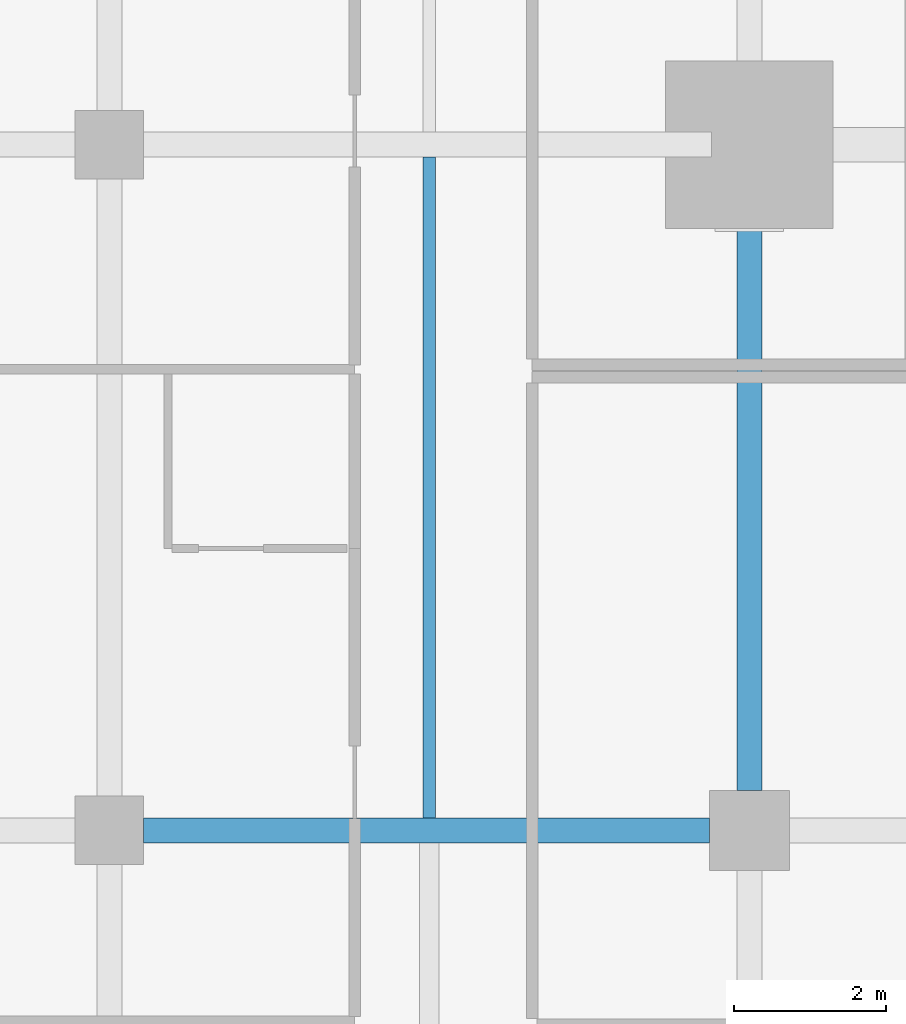
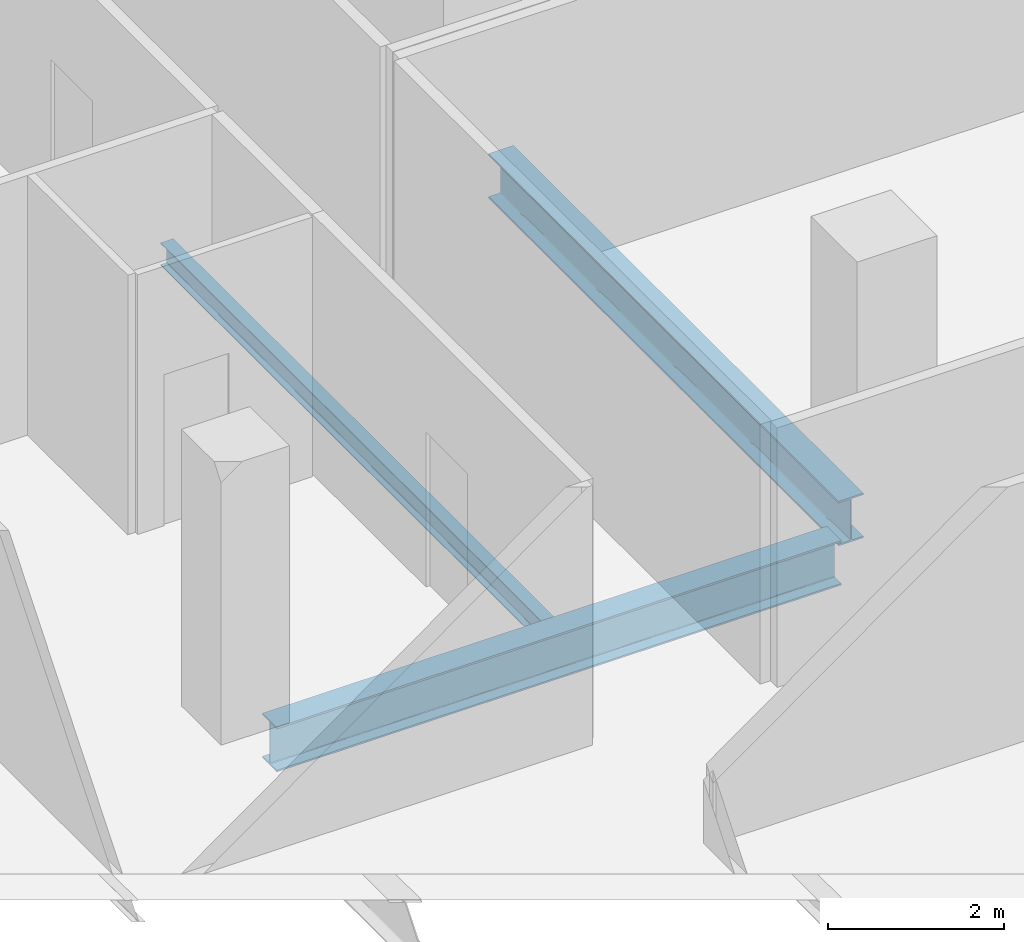
# One storey, part 11 of 40: 3 beams.
"""IFC4 building model written with IfcOpenShell, lengths in metres."""

from ifc_helpers import new_model, si_unit, direction, frame, origin, origin_2d, place, context, subcontext, project, spatial, i_section, extrude, material, material_profile, profile_set, type_object, element, save


model = new_model("IFC4")

# Units and contexts
model_context = context("Model", 3, precision=1e-05, world=origin(), true_north=direction((0.0, 1.0)))
body_context = subcontext(model_context, "Body", "Model", "MODEL_VIEW")
ifc_project = project(units=[si_unit("LENGTHUNIT", "METRE"), si_unit("AREAUNIT", "SQUARE_METRE"), si_unit("VOLUMEUNIT", "CUBIC_METRE"), si_unit("PLANEANGLEUNIT", "RADIAN"), si_unit("MASSUNIT", "GRAM", prefix="KILO")], contexts=[model_context])

# Site, building, storey
site_placement = place(None, origin())
site = spatial("IfcSite", under=ifc_project, at=site_placement, CompositionType="ELEMENT")
building_placement = place(site_placement, origin())
building = spatial("IfcBuilding", under=site, at=building_placement, Name="Maruvema Waterfront Hotel and Observation Tower", CompositionType="ELEMENT")
storey_placement = place(building_placement, frame((0.0, 0.0, 73.14990234375)))
storey = spatial("IfcBuildingStorey", under=building, at=storey_placement, Name="L17", CompositionType="ELEMENT", Elevation=73.14990234375)

# Beams
ifc_material_1 = material(Name="Steel ASTM A572 Grade 50", Category="steel")
ifc_material_profile_1 = material_profile(ifc_material_1, i_section(OverallWidth=0.326904296875, OverallDepth=0.6220703125, WebThickness=0.015380859375, FlangeThickness=0.0244140625, FilletRadius=0.01806640625, at=origin_2d()), Name="W610x195.0")
ifc_profile_set_1 = profile_set([ifc_material_profile_1], Name="Steel ASTM A572 Grade 50")
beam_type_1 = type_object("IfcBeamType", Name="Primary Floor Girder W610x195.0", PredefinedType="BEAM", material=ifc_profile_set_1)
beam_1_placement = place(storey_placement, frame((17.25, 18.0, -0.55078125), z_axis=(1.0, 0.0, 0.0), x_axis=(0.0, 1.0, 0.0)))
element("IfcBeam", 1, at=beam_1_placement, inside=storey, type_object=beam_type_1, Name="L17 Floor Girder EW-14", PredefinedType="BEAM", context=body_context, shape_type="SweptSolid", body=[
    extrude(i_section(OverallWidth=0.326904296875, OverallDepth=0.6220703125, WebThickness=0.015380859375, FlangeThickness=0.0244140625, FilletRadius=0.01806640625, at=origin_2d()), origin(), (0.0, 0.0, 1.0), 7.425048828125),
])
beam_2_placement = place(storey_placement, frame((25.199951171875, 18.52490234375, -0.55078125), z_axis=(0.0, 1.0, 0.0), x_axis=(-1.0, 0.0, 0.0)))
element("IfcBeam", 2, at=beam_2_placement, inside=storey, type_object=beam_type_1, Name="L17 Floor Girder NS-13", PredefinedType="BEAM", context=body_context, shape_type="SweptSolid", body=[
    extrude(i_section(OverallWidth=0.326904296875, OverallDepth=0.6220703125, WebThickness=0.015380859375, FlangeThickness=0.0244140625, FilletRadius=0.01806640625, at=origin_2d()), origin(), (0.0, 0.0, 1.0), 7.97509765625),
])
ifc_material_2 = material(Name="Steel ASTM A572 Grade 50", Category="steel")
ifc_material_profile_2 = material_profile(ifc_material_2, i_section(OverallWidth=0.1669921875, OverallDepth=0.31689453125, WebThickness=0.007568359375, FlangeThickness=0.01318359375, FilletRadius=0.012939453125, at=origin_2d()), Name="W310x52.0")
ifc_profile_set_2 = profile_set([ifc_material_profile_2], Name="Steel ASTM A572 Grade 50")
beam_type_2 = type_object("IfcBeamType", Name="Secondary Floor Joist W310x52.0", PredefinedType="JOIST", material=ifc_profile_set_2)
beam_3_placement = place(storey_placement, frame((21.0, 18.16357421875, -0.3984375), z_axis=(0.0, 1.0, 0.0), x_axis=(-1.0, 0.0, 0.0)))
element("IfcBeam", 3, at=beam_3_placement, inside=storey, type_object=beam_type_2, Name="L17 Secondary Floor Joist JS-07", PredefinedType="JOIST", context=body_context, shape_type="SweptSolid", body=[
    extrude(i_section(OverallWidth=0.1669921875, OverallDepth=0.31689453125, WebThickness=0.007568359375, FlangeThickness=0.01318359375, FilletRadius=0.012939453125, at=origin_2d()), origin(), (0.0, 0.0, 1.0), 8.6728515625),
])

save(model, "model.ifc")
